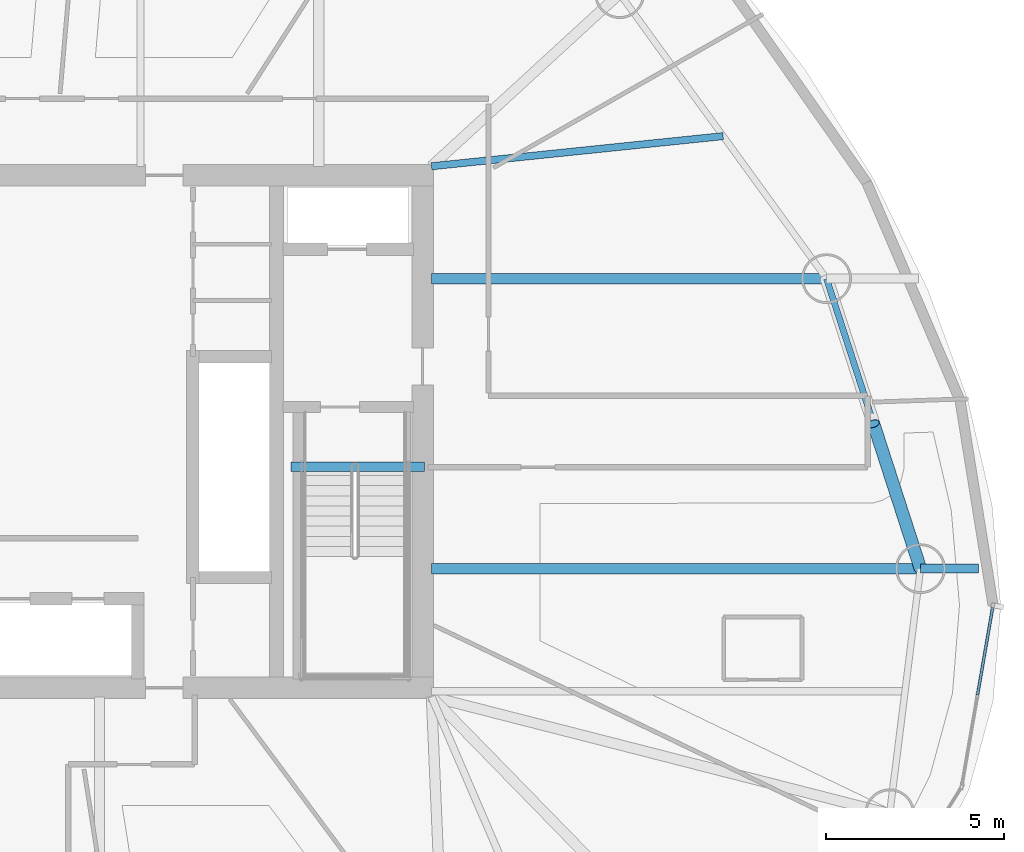
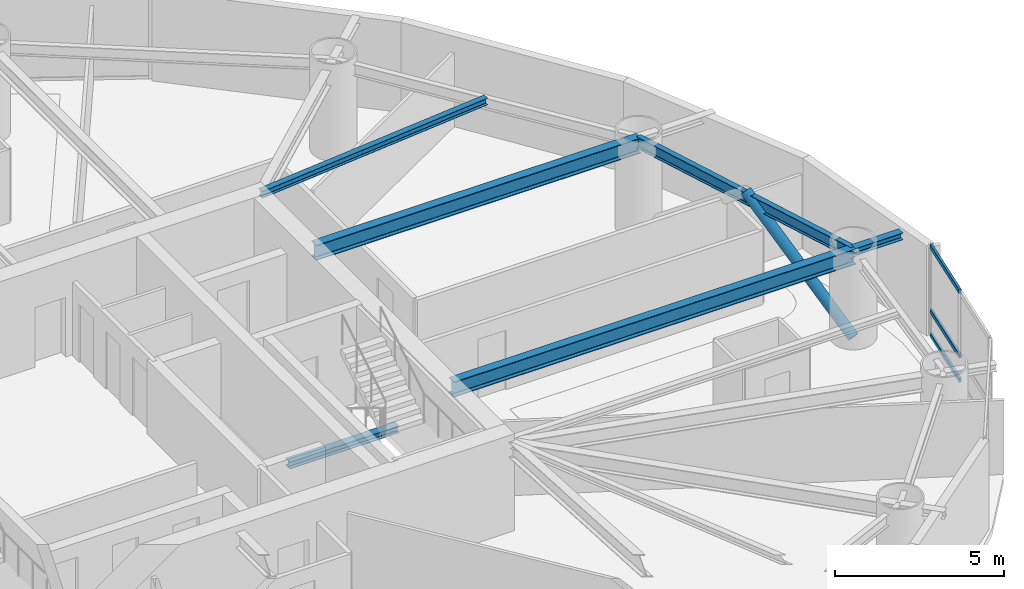
# One storey, part 8 of 22: 6 beams, 4 members, 1 element without a shape of its own.
"""IFC4 building model written with IfcOpenShell, lengths in metres."""

from ifc_helpers import new_model, si_unit, direction, frame, origin, origin_2d, place, context, subcontext, project, spatial, hollow_rectangle, hollow_circle, i_section, extrude, material, layer, layer_set, material_profile, profile_set, type_object, element, aggregate, save


model = new_model("IFC4")

# Units and contexts
model_context = context("Model", 3, precision=1e-05, world=origin(), true_north=direction((0.0, 1.0)))
body_context = subcontext(model_context, "Body", "Model", "MODEL_VIEW")
ifc_project = project(units=[si_unit("LENGTHUNIT", "METRE"), si_unit("AREAUNIT", "SQUARE_METRE"), si_unit("VOLUMEUNIT", "CUBIC_METRE"), si_unit("PLANEANGLEUNIT", "RADIAN"), si_unit("MASSUNIT", "GRAM", prefix="KILO")], contexts=[model_context])

# Site, building, storey
site_placement = place(None, origin())
site = spatial("IfcSite", under=ifc_project, at=site_placement, CompositionType="ELEMENT")
building_placement = place(site_placement, origin())
building = spatial("IfcBuilding", under=site, at=building_placement, Name="Bramvorn Convention Spire", CompositionType="ELEMENT")
storey_placement = place(building_placement, frame((0.0, 0.0, 116.800048828125)))
storey = spatial("IfcBuildingStorey", under=building, at=storey_placement, Name="L28", CompositionType="ELEMENT", Elevation=116.800048828125)

# Beams
ifc_material_1 = material(Name="Steel CSA G40.21 Grade 350 (350W)", Category="steel")
ifc_material_profile_1 = material_profile(ifc_material_1, i_section(OverallWidth=0.201904296875, OverallDepth=0.2470703125, WebThickness=0.00732421875, FlangeThickness=0.010986328125, FilletRadius=0.011962890625, at=origin_2d()))
ifc_profile_set_1 = profile_set([ifc_material_profile_1], Name="Steel CSA G40.21 Grade 350 (350W) - W250X49")
beam_type_1 = type_object("IfcBeamType", Name="BM-W250X49", PredefinedType="JOIST", material=ifc_profile_set_1)
beam_1_placement = place(storey_placement, frame((49.25, 33.449951171875, 3.136474609375), z_axis=(0.994705076194, 0.102770673804, 0.0), x_axis=(-0.102770673804, 0.994705076194, 0.0)))
element("IfcBeam", 1, at=beam_1_placement, inside=storey, type_object=beam_type_1, Name="L28 composite floor joist 03", PredefinedType="JOIST", context=body_context, shape_type="SweptSolid", body=[
    extrude(i_section(OverallWidth=0.201904296875, OverallDepth=0.2470703125, WebThickness=0.00732421875, FlangeThickness=0.010986328125, FilletRadius=0.011962890625, at=origin_2d()), origin(), (0.0, 0.0, 1.0), 8.23388671875),
])
ifc_material_profile_2 = material_profile(ifc_material_1, i_section(OverallWidth=0.25390625, OverallDepth=0.2529296875, WebThickness=0.008544921875, FlangeThickness=0.01416015625, FilletRadius=0.011962890625, at=origin_2d()))
ifc_profile_set_2 = profile_set([ifc_material_profile_2], Name="Steel CSA G40.21 Grade 350 (350W) - W250X73")
beam_type_2 = type_object("IfcBeamType", Name="BM-W250X73", PredefinedType="BEAM", material=ifc_profile_set_2)
beam_2_placement = place(storey_placement, frame((62.983642578125, 22.148193359375, 3.133544921875), z_axis=(1.0, 0.0, 0.0), x_axis=(0.0, 1.0, 0.0)))
element("IfcBeam", 2, at=beam_2_placement, inside=storey, type_object=beam_type_2, Name="L28 slab-edge cantilever tip beam MC02", PredefinedType="BEAM", context=body_context, shape_type="SweptSolid", body=[
    extrude(i_section(OverallWidth=0.25390625, OverallDepth=0.2529296875, WebThickness=0.008544921875, FlangeThickness=0.01416015625, FilletRadius=0.011962890625, at=origin_2d()), origin(), (0.0, 0.0, 1.0), 1.628173828125),
])
beam_3_placement = place(storey_placement, frame((45.31005859375, 25.010009765625, -0.12646484375), z_axis=(1.0, 0.0, 0.0), x_axis=(0.0, 1.0, 0.0)))
element("IfcBeam", 3, at=beam_3_placement, inside=storey, type_object=beam_type_2, Name="L28 ST2 stair arrival header beam", PredefinedType="BEAM", context=body_context, shape_type="SweptSolid", body=[
    extrude(i_section(OverallWidth=0.25390625, OverallDepth=0.2529296875, WebThickness=0.008544921875, FlangeThickness=0.01416015625, FilletRadius=0.011962890625, at=origin_2d()), origin(), (0.0, 0.0, 1.0), 3.739990234375),
])
ifc_material_profile_3 = material_profile(ifc_material_1, i_section(OverallWidth=0.180908203125, OverallDepth=0.4169921875, WebThickness=0.010986328125, FlangeThickness=0.018310546875, FilletRadius=0.01611328125, at=origin_2d()))
ifc_profile_set_3 = profile_set([ifc_material_profile_3], Name="Steel CSA G40.21 Grade 350 (350W) - W410X85")
beam_type_3 = type_object("IfcBeamType", Name="BM-W410X85", PredefinedType="JOIST", material=ifc_profile_set_3)
beam_4_placement = place(storey_placement, frame((62.983642578125, 22.148193359375, 3.051513671875), z_axis=(-0.308114853612, 0.951349166701, 0.0), x_axis=(-0.951349166701, -0.308114853612, 0.0)))
element("IfcBeam", 4, at=beam_4_placement, inside=storey, type_object=beam_type_3, Name="L28 mega-column ring beam 02", PredefinedType="JOIST", context=body_context, shape_type="SweptSolid", body=[
    extrude(i_section(OverallWidth=0.180908203125, OverallDepth=0.4169921875, WebThickness=0.010986328125, FlangeThickness=0.018310546875, FilletRadius=0.01611328125, at=origin_2d()), origin(), (0.0, 0.0, 1.0), 8.5615234375),
])
ifc_material_profile_4 = material_profile(ifc_material_1, i_section(OverallWidth=0.2919921875, OverallDepth=0.551025390625, WebThickness=0.01513671875, FlangeThickness=0.0244140625, FilletRadius=0.01904296875, at=origin_2d()))
ifc_profile_set_4 = profile_set([ifc_material_profile_4], Name="Steel CSA G40.21 Grade 350 (350W) - W530X182")
beam_type_4 = type_object("IfcBeamType", Name="BM-W530X182", PredefinedType="BEAM", material=ifc_profile_set_4)
beam_5_placement = place(storey_placement, frame((49.25, 22.148193359375, 2.984375), z_axis=(1.0, 0.0, 0.0), x_axis=(0.0, 1.0, 0.0)))
element("IfcBeam", 5, at=beam_5_placement, inside=storey, type_object=beam_type_4, Name="L28 radial floor girder MC02", PredefinedType="BEAM", context=body_context, shape_type="SweptSolid", body=[
    extrude(i_section(OverallWidth=0.2919921875, OverallDepth=0.551025390625, WebThickness=0.01513671875, FlangeThickness=0.0244140625, FilletRadius=0.01904296875, at=origin_2d()), origin(), (0.0, 0.0, 1.0), 13.733642578125),
])
beam_6_placement = place(storey_placement, frame((49.25, 30.293212890625, 2.984375), z_axis=(1.0, 0.0, 0.0), x_axis=(0.0, 1.0, 0.0)))
element("IfcBeam", 6, at=beam_6_placement, inside=storey, type_object=beam_type_4, Name="L28 radial floor girder MC03", PredefinedType="BEAM", context=body_context, shape_type="SweptSolid", body=[
    extrude(i_section(OverallWidth=0.2919921875, OverallDepth=0.551025390625, WebThickness=0.01513671875, FlangeThickness=0.0244140625, FilletRadius=0.01904296875, at=origin_2d()), origin(), (0.0, 0.0, 1.0), 11.095703125),
])

# Curtain wall, members
ifc_material_2 = material(Name="Anodised Bronze Unitised Curtain Wall", Category="aluminium")
ifc_layer = layer(ifc_material_2, 0.179931640625)
ifc_layer_set = layer_set([ifc_layer], Name="Anodised Bronze Unitised Curtain Wall - CW-HTL-FRIT")
curtain_wall_type = type_object("IfcCurtainWallType", Name="CW-HTL-FRIT", PredefinedType="USERDEFINED", material=ifc_layer_set)
curtain_wall_placement = place(storey_placement, origin())
curtain_wall = element("IfcCurtainWall", 7, at=curtain_wall_placement, inside=storey, type_object=curtain_wall_type, Name="L28 fritted glass curtain wall 01", ObjectType="UNITISED CURTAIN WALL", PredefinedType="USERDEFINED")
ifc_material_3 = material(Name="Anodised Bronze Aluminium 6063-T6", Category="aluminium")
ifc_material_profile_5 = material_profile(ifc_material_3, hollow_rectangle(XDim=0.080078125, YDim=0.159912109375, WallThickness=0.00390625, InnerFilletRadius=0.0009765625, OuterFilletRadius=0.00390625, at=origin_2d()))
ifc_profile_set_5 = profile_set([ifc_material_profile_5], Name="Anodised Bronze Aluminium 6063-T6 - CWT80X160")
member_type_1 = type_object("IfcMemberType", Name="CW-TRN-150", PredefinedType="USERDEFINED", material=ifc_profile_set_5)
member_1_placement = place(storey_placement, frame((65.011474609375, 21.057861328125, 0.030029296875), z_axis=(-0.170610803466, -0.985338497036, 0.0), x_axis=(0.985338497036, -0.170610803466, 0.0)))
member_1 = element("IfcMember", 8, at=member_1_placement, type_object=member_type_1, Name="CW2 transom 1.1", ObjectType="TRANSOM", PredefinedType="USERDEFINED", context=body_context, shape_type="SweptSolid", body=[
    extrude(hollow_rectangle(XDim=0.080078125, YDim=0.159912109375, WallThickness=0.00390625, InnerFilletRadius=0.0009765625, OuterFilletRadius=0.00390625, at=origin_2d()), origin(), (0.0, 0.0, 1.0), 2.4970703125),
])
member_2_placement = place(storey_placement, frame((65.011474609375, 21.057861328125, 0.89990234375), z_axis=(-0.170610803466, -0.985338497036, 0.0), x_axis=(0.985338497036, -0.170610803466, 0.0)))
member_2 = element("IfcMember", 9, at=member_2_placement, type_object=member_type_1, Name="CW2 transom 1.2", ObjectType="TRANSOM", PredefinedType="USERDEFINED", context=body_context, shape_type="SweptSolid", body=[
    extrude(hollow_rectangle(XDim=0.080078125, YDim=0.159912109375, WallThickness=0.00390625, InnerFilletRadius=0.0009765625, OuterFilletRadius=0.00390625, at=origin_2d()), origin(), (0.0, 0.0, 1.0), 2.4970703125),
])
member_3_placement = place(storey_placement, frame((65.011474609375, 21.057861328125, 3.22998046875), z_axis=(-0.170610803466, -0.985338497036, 0.0), x_axis=(0.985338497036, -0.170610803466, 0.0)))
member_3 = element("IfcMember", 10, at=member_3_placement, type_object=member_type_1, Name="CW2 transom 1.3", ObjectType="TRANSOM", PredefinedType="USERDEFINED", context=body_context, shape_type="SweptSolid", body=[
    extrude(hollow_rectangle(XDim=0.080078125, YDim=0.159912109375, WallThickness=0.00390625, InnerFilletRadius=0.0009765625, OuterFilletRadius=0.00390625, at=origin_2d()), origin(), (0.0, 0.0, 1.0), 2.4970703125),
])
aggregate(curtain_wall, [member_1, member_2, member_3])

# Member
ifc_material_profile_6 = material_profile(ifc_material_1, hollow_circle(Radius=0.177734375, WallThickness=0.015869140625, at=origin_2d()))
ifc_profile_set_6 = profile_set([ifc_material_profile_6], Name="Steel CSA G40.21 Grade 350 (350W) - CHS356X16")
member_type_2 = type_object("IfcMemberType", Name="MBR-CHS356X16", PredefinedType="BRACE", material=ifc_profile_set_6)
member_4_placement = place(storey_placement, frame((62.983642578125, 22.148193359375, 0.0), z_axis=(-0.245105274589, 0.75686802766, 0.605866481227), x_axis=(-0.951357525158, -0.308089044476, 0.0)))
element("IfcMember", 11, at=member_4_placement, inside=storey, type_object=member_type_2, Name="L28 perimeter Gothic lancet brace 2A", PredefinedType="BRACE", context=body_context, shape_type="SweptSolid", body=[
    extrude(hollow_circle(Radius=0.177734375, WallThickness=0.015869140625, at=origin_2d()), origin(), (0.0, 0.0, 1.0), 5.380859375),
])

save(model, "model.ifc")
